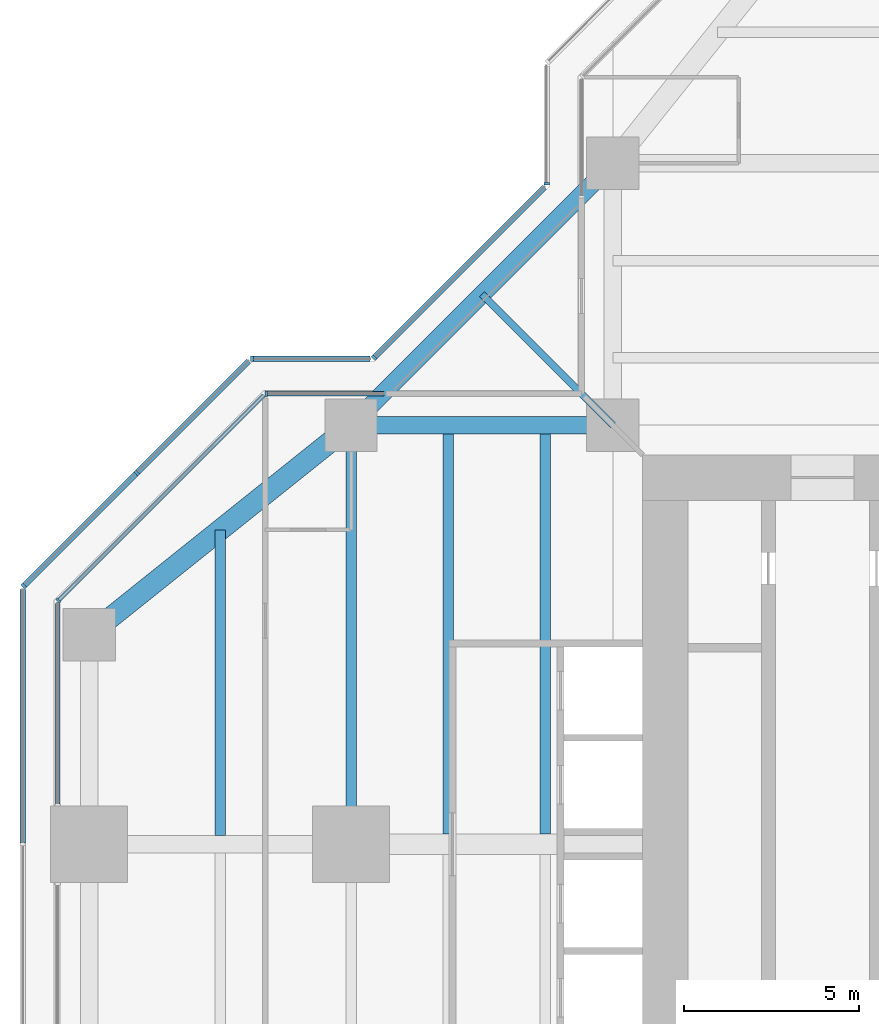
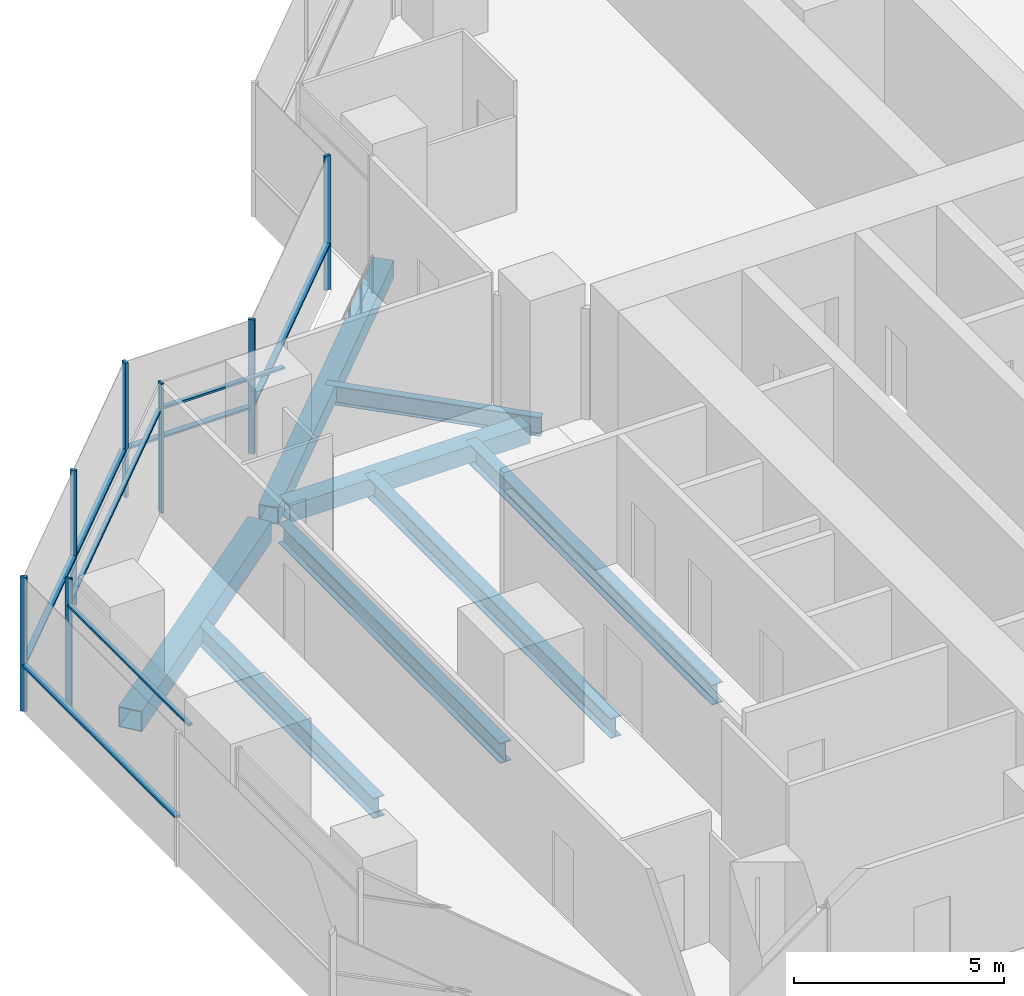
# One storey, part 6 of 17: 15 members, 8 beams, 8 elements without a shape of their own.
"""IFC4 building model written with IfcOpenShell, lengths in metres."""

from ifc_helpers import new_model, si_unit, direction, frame, origin, origin_2d, place, context, subcontext, project, spatial, rectangle, hollow_rectangle, i_section, extrude, material, material_profile, profile_set, type_object, element, aggregate, save


model = new_model("IFC4")

# Units and contexts
model_context = context("Model", 3, precision=1e-05, world=origin(), true_north=direction((0.0, 1.0)))
body_context = subcontext(model_context, "Body", "Model", "MODEL_VIEW")
ifc_project = project(units=[si_unit("LENGTHUNIT", "METRE"), si_unit("AREAUNIT", "SQUARE_METRE"), si_unit("VOLUMEUNIT", "CUBIC_METRE"), si_unit("PLANEANGLEUNIT", "RADIAN"), si_unit("MASSUNIT", "GRAM", prefix="KILO")], contexts=[model_context])

# Site, building, storey
site_placement = place(None, origin())
site = spatial("IfcSite", under=ifc_project, at=site_placement, CompositionType="ELEMENT")
building_placement = place(site_placement, origin())
building = spatial("IfcBuilding", under=site, at=building_placement, Name="Mizan Broadcast Tower", CompositionType="ELEMENT")
storey_placement = place(building_placement, frame((0.0, 0.0, 247.800048828125)))
storey = spatial("IfcBuildingStorey", under=building, at=storey_placement, Name="L58", CompositionType="ELEMENT", Elevation=247.800048828125)

# Beams
ifc_material_1 = material(Name="Steel S355", Category="steel")
ifc_material_profile_1 = material_profile(ifc_material_1, hollow_rectangle(XDim=0.5, YDim=0.5, WallThickness=0.030029296875, at=origin_2d()), Name="BOX 500x500x30")
ifc_profile_set_1 = profile_set([ifc_material_profile_1], Name="Steel S355")
beam_type_1 = type_object("IfcBeamType", Name="EDGE BEAM BOX 500x500x30", PredefinedType="SPANDREL", material=ifc_profile_set_1)
beam_1_placement = place(storey_placement, frame((-12.449951171875, 12.0, -0.380126953125), z_axis=(-1.0, 0.0, 0.0), x_axis=(0.0, -1.0, 0.0)))
element("IfcBeam", 1, at=beam_1_placement, inside=storey, type_object=beam_type_1, Name="Edge beam BOX 500x500x30 L58 west arm", PredefinedType="SPANDREL", context=body_context, shape_type="SweptSolid", body=[
    extrude(hollow_rectangle(XDim=0.5, YDim=0.5, WallThickness=0.030029296875, at=origin_2d()), origin(), (0.0, 0.0, 1.0), 6.60009765625),
])
beam_2_placement = place(storey_placement, frame((-12.0, 19.5, -0.380126953125), z_axis=(-0.707106781187, -0.707106781187, 0.0), x_axis=(0.707106781187, -0.707106781187, 0.0)))
element("IfcBeam", 2, at=beam_2_placement, inside=storey, type_object=beam_type_1, Name="Winter garden edge beam L58 N", PredefinedType="SPANDREL", context=body_context, shape_type="SweptSolid", body=[
    extrude(hollow_rectangle(XDim=0.5, YDim=0.5, WallThickness=0.030029296875, at=origin_2d()), origin(), (0.0, 0.0, 1.0), 10.606689453125),
])
ifc_material_2 = material(Name="Steel S355", Category="steel")
ifc_material_profile_2 = material_profile(ifc_material_2, hollow_rectangle(XDim=0.60009765625, YDim=0.60009765625, WallThickness=0.030029296875, at=origin_2d()), Name="BOX 600x600x30")
ifc_profile_set_2 = profile_set([ifc_material_profile_2], Name="Steel S355")
beam_type_2 = type_object("IfcBeamType", Name="EDGE BEAM BOX 600x600x30", PredefinedType="SPANDREL", material=ifc_profile_set_2)
beam_3_placement = place(storey_placement, frame((-19.949951171875, 11.639892578125, -0.429931640625), z_axis=(-0.780885717636, -0.624673911726, 0.0), x_axis=(0.624673911726, -0.780885717636, 0.0)))
element("IfcBeam", 3, at=beam_3_placement, inside=storey, type_object=beam_type_2, Name="Edge beam BOX 600x600x30 L58 west arm", PredefinedType="SPANDREL", context=body_context, shape_type="SweptSolid", body=[
    extrude(hollow_rectangle(XDim=0.60009765625, YDim=0.60009765625, WallThickness=0.030029296875, at=origin_2d()), origin(), (0.0, 0.0, 1.0), 8.4521484375),
])
ifc_material_3 = material(Name="Steel S355", Category="steel")
ifc_material_profile_3 = material_profile(ifc_material_3, i_section(OverallWidth=0.300048828125, OverallDepth=0.590087890625, WebThickness=0.012939453125, FlangeThickness=0.02490234375, FilletRadius=0.027099609375, at=origin_2d()), Name="HEA 600")
ifc_profile_set_3 = profile_set([ifc_material_profile_3], Name="Steel S355")
beam_type_3 = type_object("IfcBeamType", Name="GIRDER HEA 600", PredefinedType="BEAM", material=ifc_profile_set_3)
beam_4_placement = place(storey_placement, frame((-19.5, 11.280029296875, -0.425048828125), z_axis=(0.0, -1.0, 0.0), x_axis=(1.0, 0.0, 0.0)))
element("IfcBeam", 4, at=beam_4_placement, inside=storey, type_object=beam_type_3, Name="Girder HEA 600 L58 west arm", PredefinedType="BEAM", context=body_context, shape_type="SweptSolid", body=[
    extrude(i_section(OverallWidth=0.300048828125, OverallDepth=0.590087890625, WebThickness=0.012939453125, FlangeThickness=0.02490234375, FilletRadius=0.027099609375, at=origin_2d()), origin(), (0.0, 0.0, 1.0), 10.56005859375),
])

# Curtain wall, member
ifc_material_4 = material(Name="Aluminium framed glazing", Category="aluminium")
curtain_wall_type_1 = type_object("IfcCurtainWallType", Name="INNER SKIN HIGH ZONE", PredefinedType="USERDEFINED", material=ifc_material_4)
curtain_wall_1_placement = place(storey_placement, origin())
curtain_wall_1 = element("IfcCurtainWall", 5, at=curtain_wall_1_placement, inside=storey, type_object=curtain_wall_type_1, Name="Inner skin high zone L58 W side", ObjectType="INNER SKIN HIGH ZONE", PredefinedType="USERDEFINED")
ifc_material_5 = material(Name="Aluminium, pale anodised", Category="aluminium")
ifc_material_profile_4 = material_profile(ifc_material_5, rectangle(XDim=0.159912109375, YDim=0.06005859375, at=origin_2d()), Name="MULLION 160x60")
ifc_profile_set_4 = profile_set([ifc_material_profile_4], Name="Aluminium, pale anodised")
member_type_1 = type_object("IfcMemberType", Name="INNER SKIN MULLION 60x160", PredefinedType="MULLION", material=ifc_profile_set_4)
member_1_placement = place(storey_placement, frame((-21.928466796875, 12.89990234375, 0.0), z_axis=(0.0, 0.0, 1.0), x_axis=(0.0, -1.0, 0.0)))
member_1 = element("IfcMember", 6, at=member_1_placement, type_object=member_type_1, Name="Inner skin high zone L58 W side mullion 2", PredefinedType="MULLION", context=body_context, shape_type="SweptSolid", body=[
    extrude(rectangle(XDim=0.159912109375, YDim=0.06005859375, at=origin_2d()), origin(), (0.0, 0.0, 1.0), 3.77001953125),
])

curtain_wall_2_placement = place(storey_placement, origin())
curtain_wall_2 = element("IfcCurtainWall", 7, at=curtain_wall_2_placement, inside=storey, type_object=curtain_wall_type_1, Name="Inner skin high zone L58 W chamfer", ObjectType="INNER SKIN HIGH ZONE", PredefinedType="USERDEFINED")
member_2_placement = place(storey_placement, frame((-27.87890625, 6.979736328125, 0.0), z_axis=(0.0, 0.0, 1.0), x_axis=(0.707106781187, -0.707106781187, 0.0)))
member_2 = element("IfcMember", 8, at=member_2_placement, type_object=member_type_1, Name="Inner skin high zone L58 W chamfer mullion 2", PredefinedType="MULLION", context=body_context, shape_type="SweptSolid", body=[
    extrude(rectangle(XDim=0.159912109375, YDim=0.06005859375, at=origin_2d()), origin(), (0.0, 0.0, 1.0), 3.77001953125),
])

# Member
ifc_material_6 = material(Name="Aluminium, pale anodised", Category="aluminium")
ifc_material_profile_5 = material_profile(ifc_material_6, rectangle(XDim=0.1201171875, YDim=0.06005859375, at=origin_2d()), Name="TRANSOM 120x60")
ifc_profile_set_5 = profile_set([ifc_material_profile_5], Name="Aluminium, pale anodised")
member_type_2 = type_object("IfcMemberType", Name="INNER SKIN TRANSOM 60x120", PredefinedType="USERDEFINED", material=ifc_profile_set_5)
member_3_placement = place(storey_placement, frame((-18.56005859375, 12.89990234375, 3.030029296875), z_axis=(-1.0, 0.0, 0.0), x_axis=(0.0, -1.0, 0.0)))
member_3 = element("IfcMember", 9, at=member_3_placement, type_object=member_type_2, Name="Inner skin high zone L58 W side transom 1.1", ObjectType="TRANSOM", PredefinedType="USERDEFINED", context=body_context, shape_type="SweptSolid", body=[
    extrude(rectangle(XDim=0.1201171875, YDim=0.06005859375, at=origin_2d()), origin(), (0.0, 0.0, 1.0), 3.338623046875),
])

aggregate(curtain_wall_1, [member_1, member_3])

member_4_placement = place(storey_placement, frame((-22.0009765625, 12.857666015625, 3.030029296875), z_axis=(-0.707106781187, -0.707106781187, 0.0), x_axis=(0.707106781187, -0.707106781187, 0.0)))
member_4 = element("IfcMember", 10, at=member_4_placement, type_object=member_type_2, Name="Inner skin high zone L58 W chamfer transom 1.1", ObjectType="TRANSOM", PredefinedType="USERDEFINED", context=body_context, shape_type="SweptSolid", body=[
    extrude(rectangle(XDim=0.1201171875, YDim=0.06005859375, at=origin_2d()), origin(), (0.0, 0.0, 1.0), 8.28271484375),
])

aggregate(curtain_wall_2, [member_2, member_4])

# Curtain wall, member
curtain_wall_3_placement = place(storey_placement, origin())
curtain_wall_3 = element("IfcCurtainWall", 11, at=curtain_wall_3_placement, inside=storey, type_object=curtain_wall_type_1, Name="Inner skin high zone L58 W end", ObjectType="INNER SKIN HIGH ZONE", PredefinedType="USERDEFINED")
member_5_placement = place(storey_placement, frame((-27.89990234375, 6.898681640625, 3.030029296875), z_axis=(0.0, -1.0, 0.0), x_axis=(1.0, 0.0, 0.0)))
member_5 = element("IfcMember", 12, at=member_5_placement, type_object=member_type_2, Name="Inner skin high zone L58 W end transom 1.1", ObjectType="TRANSOM", PredefinedType="USERDEFINED", context=body_context, shape_type="SweptSolid", body=[
    extrude(rectangle(XDim=0.1201171875, YDim=0.06005859375, at=origin_2d()), origin(), (0.0, 0.0, 1.0), 5.73876953125),
])
aggregate(curtain_wall_3, [member_5])

ifc_material_7 = material(Name="Aluminium framed glazing", Category="aluminium")
curtain_wall_type_2 = type_object("IfcCurtainWallType", Name="OUTER SKIN", PredefinedType="USERDEFINED", material=ifc_material_7)
curtain_wall_4_placement = place(storey_placement, origin())
curtain_wall_4 = element("IfcCurtainWall", 13, at=curtain_wall_4_placement, inside=storey, type_object=curtain_wall_type_2, Name="Outer skin L58 N side", ObjectType="OUTER SKIN", PredefinedType="USERDEFINED")
ifc_material_8 = material(Name="Aluminium, pale anodised", Category="aluminium")
ifc_material_profile_6 = material_profile(ifc_material_8, rectangle(XDim=0.159912109375, YDim=0.080078125, at=origin_2d()), Name="MULLION 160x80")
ifc_profile_set_6 = profile_set([ifc_material_profile_6], Name="Aluminium, pale anodised")
member_type_3 = type_object("IfcMemberType", Name="OUTER SKIN MULLION 80x160", PredefinedType="MULLION", material=ifc_profile_set_6)
member_6_placement = place(storey_placement, frame((-13.89990234375, 18.912841796875, 0.0), z_axis=(0.0, 0.0, 1.0), x_axis=(1.0, 0.0, 0.0)))
member_6 = element("IfcMember", 14, at=member_6_placement, type_object=member_type_3, Name="Outer skin L58 N side mullion 2", PredefinedType="MULLION", context=body_context, shape_type="SweptSolid", body=[
    extrude(rectangle(XDim=0.159912109375, YDim=0.080078125, at=origin_2d()), origin(), (0.0, 0.0, 1.0), 3.89990234375),
])
aggregate(curtain_wall_4, [member_6])

curtain_wall_5_placement = place(storey_placement, origin())
curtain_wall_5 = element("IfcCurtainWall", 15, at=curtain_wall_5_placement, inside=storey, type_object=curtain_wall_type_2, Name="Outer skin L58 W chamfer", ObjectType="OUTER SKIN", PredefinedType="USERDEFINED")
member_7_placement = place(storey_placement, frame((-18.844482421875, 13.92822265625, 0.0), z_axis=(0.0, 0.0, 1.0), x_axis=(0.707106781187, -0.707106781187, 0.0)))
member_7 = element("IfcMember", 16, at=member_7_placement, type_object=member_type_3, Name="Outer skin L58 W chamfer mullion 2", PredefinedType="MULLION", context=body_context, shape_type="SweptSolid", body=[
    extrude(rectangle(XDim=0.159912109375, YDim=0.080078125, at=origin_2d()), origin(), (0.0, 0.0, 1.0), 3.89990234375),
])

curtain_wall_6_placement = place(storey_placement, origin())
curtain_wall_6 = element("IfcCurtainWall", 17, at=curtain_wall_6_placement, inside=storey, type_object=curtain_wall_type_2, Name="Outer skin L58 W side", ObjectType="OUTER SKIN", PredefinedType="USERDEFINED")
member_8_placement = place(storey_placement, frame((-22.332763671875, 13.89990234375, 0.0), z_axis=(0.0, 0.0, 1.0), x_axis=(0.0, -1.0, 0.0)))
member_8 = element("IfcMember", 18, at=member_8_placement, type_object=member_type_3, Name="Outer skin L58 W side mullion 2", PredefinedType="MULLION", context=body_context, shape_type="SweptSolid", body=[
    extrude(rectangle(XDim=0.159912109375, YDim=0.080078125, at=origin_2d()), origin(), (0.0, 0.0, 1.0), 3.89990234375),
])

# Curtain wall, members
curtain_wall_7_placement = place(storey_placement, origin())
curtain_wall_7 = element("IfcCurtainWall", 19, at=curtain_wall_7_placement, inside=storey, type_object=curtain_wall_type_2, Name="Outer skin L58 W chamfer", ObjectType="OUTER SKIN", PredefinedType="USERDEFINED")
member_9_placement = place(storey_placement, frame((-25.636474609375, 10.636474609375, 0.0), z_axis=(0.0, 0.0, 1.0), x_axis=(0.707106781187, -0.707106781187, 0.0)))
member_9 = element("IfcMember", 20, at=member_9_placement, type_object=member_type_3, Name="Outer skin L58 W chamfer mullion 2", PredefinedType="MULLION", context=body_context, shape_type="SweptSolid", body=[
    extrude(rectangle(XDim=0.159912109375, YDim=0.080078125, at=origin_2d()), origin(), (0.0, 0.0, 1.0), 3.89990234375),
])
member_10_placement = place(storey_placement, frame((-28.871826171875, 7.401123046875, 0.0), z_axis=(0.0, 0.0, 1.0), x_axis=(0.707106781187, -0.707106781187, 0.0)))
member_10 = element("IfcMember", 21, at=member_10_placement, type_object=member_type_3, Name="Outer skin L58 W chamfer mullion 3", PredefinedType="MULLION", context=body_context, shape_type="SweptSolid", body=[
    extrude(rectangle(XDim=0.159912109375, YDim=0.080078125, at=origin_2d()), origin(), (0.0, 0.0, 1.0), 3.89990234375),
])

# Member
ifc_material_9 = material(Name="Aluminium, pale anodised", Category="aluminium")
ifc_material_profile_7 = material_profile(ifc_material_9, rectangle(XDim=0.159912109375, YDim=0.06005859375, at=origin_2d()), Name="TRANSOM 160x60")
ifc_profile_set_7 = profile_set([ifc_material_profile_7], Name="Aluminium, pale anodised")
member_type_4 = type_object("IfcMemberType", Name="OUTER SKIN TRANSOM 60x160", PredefinedType="USERDEFINED", material=ifc_profile_set_7)
member_11_placement = place(storey_placement, frame((-13.95654296875, 18.816162109375, 1.39990234375), z_axis=(-0.707106781187, -0.707106781187, 0.0), x_axis=(0.707106781187, -0.707106781187, 0.0)))
member_11 = element("IfcMember", 22, at=member_11_placement, type_object=member_type_4, Name="Outer skin L58 W chamfer transom 1.1", ObjectType="TRANSOM", PredefinedType="USERDEFINED", context=body_context, shape_type="SweptSolid", body=[
    extrude(rectangle(XDim=0.159912109375, YDim=0.06005859375, at=origin_2d()), origin(), (0.0, 0.0, 1.0), 6.87255859375),
])

aggregate(curtain_wall_5, [member_7, member_11])

member_12_placement = place(storey_placement, frame((-18.952880859375, 13.89990234375, 1.39990234375), z_axis=(-1.0, 0.0, 0.0), x_axis=(0.0, -1.0, 0.0)))
member_12 = element("IfcMember", 23, at=member_12_placement, type_object=member_type_4, Name="Outer skin L58 W side transom 1.1", ObjectType="TRANSOM", PredefinedType="USERDEFINED", context=body_context, shape_type="SweptSolid", body=[
    extrude(rectangle(XDim=0.159912109375, YDim=0.06005859375, at=origin_2d()), origin(), (0.0, 0.0, 1.0), 3.33984375),
])

aggregate(curtain_wall_6, [member_8, member_12])

member_13_placement = place(storey_placement, frame((-22.429443359375, 13.843505859375, 1.39990234375), z_axis=(-0.707106781187, -0.707106781187, 0.0), x_axis=(0.707106781187, -0.707106781187, 0.0)))
member_13 = element("IfcMember", 24, at=member_13_placement, type_object=member_type_4, Name="Outer skin L58 W chamfer transom 1.1", ObjectType="TRANSOM", PredefinedType="USERDEFINED", context=body_context, shape_type="SweptSolid", body=[
    extrude(rectangle(XDim=0.159912109375, YDim=0.06005859375, at=origin_2d()), origin(), (0.0, 0.0, 1.0), 4.495361328125),
])

member_14_placement = place(storey_placement, frame((-25.664794921875, 10.608154296875, 1.39990234375), z_axis=(-0.707106781187, -0.707106781187, 0.0), x_axis=(0.707106781187, -0.707106781187, 0.0)))
member_14 = element("IfcMember", 25, at=member_14_placement, type_object=member_type_4, Name="Outer skin L58 W chamfer transom 2.1", ObjectType="TRANSOM", PredefinedType="USERDEFINED", context=body_context, shape_type="SweptSolid", body=[
    extrude(rectangle(XDim=0.159912109375, YDim=0.06005859375, at=origin_2d()), origin(), (0.0, 0.0, 1.0), 4.495361328125),
])

aggregate(curtain_wall_7, [member_9, member_10, member_13, member_14])

# Curtain wall, member
curtain_wall_8_placement = place(storey_placement, origin())
curtain_wall_8 = element("IfcCurtainWall", 26, at=curtain_wall_8_placement, inside=storey, type_object=curtain_wall_type_2, Name="Outer skin L58 W end", ObjectType="OUTER SKIN", PredefinedType="USERDEFINED")
member_15_placement = place(storey_placement, frame((-28.89990234375, 7.292724609375, 1.39990234375), z_axis=(0.0, -1.0, 0.0), x_axis=(1.0, 0.0, 0.0)))
member_15 = element("IfcMember", 27, at=member_15_placement, type_object=member_type_4, Name="Outer skin L58 W end transom 1.1", ObjectType="TRANSOM", PredefinedType="USERDEFINED", context=body_context, shape_type="SweptSolid", body=[
    extrude(rectangle(XDim=0.159912109375, YDim=0.06005859375, at=origin_2d()), origin(), (0.0, 0.0, 1.0), 7.252685546875),
])
aggregate(curtain_wall_8, [member_15])

# Beams
ifc_material_10 = material(Name="Steel S355", Category="steel")
ifc_material_profile_8 = material_profile(ifc_material_10, i_section(OverallWidth=0.300048828125, OverallDepth=0.590087890625, WebThickness=0.012939453125, FlangeThickness=0.02490234375, FilletRadius=0.027099609375, at=origin_2d()), Name="HEA 600")
ifc_profile_set_8 = profile_set([ifc_material_profile_8], Name="Steel S355")
beam_type_4 = type_object("IfcBeamType", Name="SECONDARY BEAM HEA 600", PredefinedType="JOIST", material=ifc_profile_set_8)
for number, where, z_axis, x_axis, name in (
    (28, (-13.933349609375, 12.0, -0.425048828125), (0.0, -1.0, 0.0), (1.0, 0.0, 0.0), "Secondary beam HEA 600 L58 west arm"),
    (29, (-16.716552734375, 12.0, -0.425048828125), (0.0, -1.0, 0.0), (1.0, 0.0, 0.0), "Secondary beam HEA 600 L58 west arm"),
):
    element("IfcBeam", number, at=place(storey_placement, frame(where, z_axis=z_axis, x_axis=x_axis)), inside=storey, type_object=beam_type_4, Name=name, PredefinedType="JOIST", context=body_context, shape_type="SweptSolid", body=[
        extrude(i_section(OverallWidth=0.300048828125, OverallDepth=0.590087890625, WebThickness=0.012939453125, FlangeThickness=0.02490234375, FilletRadius=0.027099609375, at=origin_2d()), origin(), (0.0, 0.0, 1.0), 11.699951171875),
    ])
beam_5_placement = place(storey_placement, frame((-23.25, 9.0, -0.425048828125), z_axis=(0.0, -1.0, 0.0), x_axis=(1.0, 0.0, 0.0)))
element("IfcBeam", 30, at=beam_5_placement, inside=storey, type_object=beam_type_4, Name="Secondary beam HEA 600 L58 west arm", PredefinedType="JOIST", context=body_context, shape_type="SweptSolid", body=[
    extrude(i_section(OverallWidth=0.300048828125, OverallDepth=0.590087890625, WebThickness=0.012939453125, FlangeThickness=0.02490234375, FilletRadius=0.027099609375, at=origin_2d()), origin(), (0.0, 0.0, 1.0), 8.75),
])
ifc_material_11 = material(Name="Steel S355", Category="steel")
ifc_material_profile_9 = material_profile(ifc_material_11, i_section(OverallWidth=0.2099609375, OverallDepth=0.550048828125, WebThickness=0.010986328125, FlangeThickness=0.01708984375, FilletRadius=0.02392578125, at=origin_2d()), Name="IPE 550")
ifc_profile_set_9 = profile_set([ifc_material_profile_9], Name="Steel S355")
beam_type_5 = type_object("IfcBeamType", Name="SECONDARY BEAM IPE 550", PredefinedType="JOIST", material=ifc_profile_set_9)
beam_6_placement = place(storey_placement, frame((-12.0, 12.0, -0.405029296875), z_axis=(-0.707106781187, 0.707106781187, 0.0), x_axis=(-0.707106781187, -0.707106781187, 0.0)))
element("IfcBeam", 31, at=beam_6_placement, inside=storey, type_object=beam_type_5, Name="Winter garden beam L58 N", PredefinedType="JOIST", context=body_context, shape_type="SweptSolid", body=[
    extrude(i_section(OverallWidth=0.2099609375, OverallDepth=0.550048828125, WebThickness=0.010986328125, FlangeThickness=0.01708984375, FilletRadius=0.02392578125, at=origin_2d()), origin(), (0.0, 0.0, 1.0), 5.30322265625),
])

save(model, "model.ifc")
